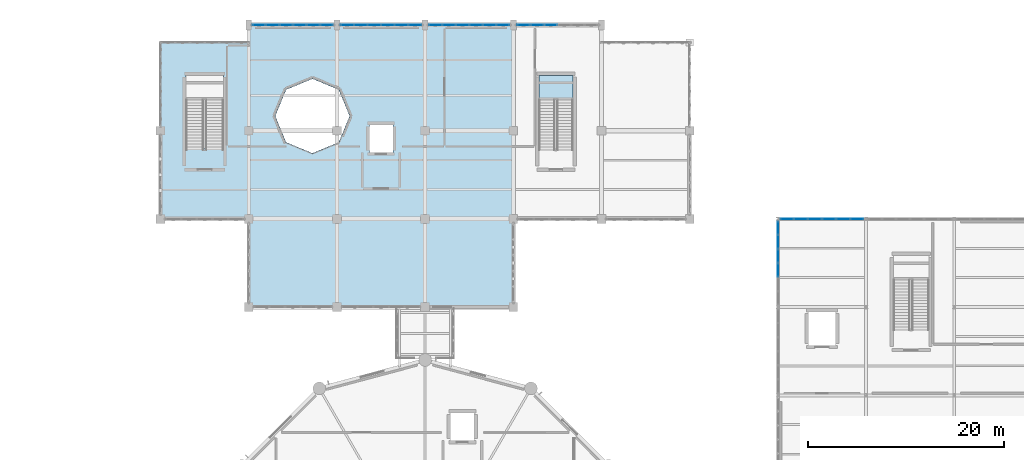
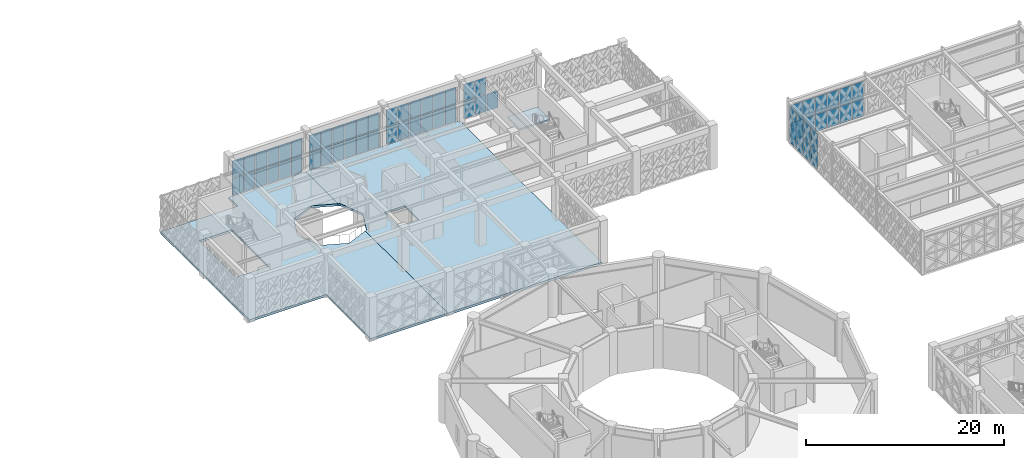
# One storey, part 126 of 155: 61 plates, 3 slabs, 7 elements without a shape of their own.
"""IFC4 building model written with IfcOpenShell, lengths in metres."""

from ifc_helpers import new_model, si_unit, direction, frame, origin, origin_2d, place, context, subcontext, project, spatial, polyline, rectangle, outline, extrude, material, layer, layer_set, type_object, element, aggregate, save


model = new_model("IFC4")

# Units and contexts
model_context = context("Model", 3, precision=1e-05, world=origin(), true_north=direction((0.0, 1.0)))
body_context = subcontext(model_context, "Body", "Model", "MODEL_VIEW")
ifc_project = project(units=[si_unit("LENGTHUNIT", "METRE"), si_unit("AREAUNIT", "SQUARE_METRE"), si_unit("VOLUMEUNIT", "CUBIC_METRE"), si_unit("PLANEANGLEUNIT", "RADIAN"), si_unit("MASSUNIT", "GRAM", prefix="KILO")], contexts=[model_context])

# Site, building, storey
site_placement = place(None, origin())
site = spatial("IfcSite", under=ifc_project, at=site_placement, CompositionType="ELEMENT")
building_placement = place(site_placement, origin())
building = spatial("IfcBuilding", under=site, at=building_placement, Name="Haizhuo Lancet Aquarium", CompositionType="ELEMENT")
storey_placement = place(building_placement, frame((0.0, 0.0, 10.800048828125)))
storey = spatial("IfcBuildingStorey", under=building, at=storey_placement, Name="L02", CompositionType="ELEMENT", Elevation=10.800048828125)

# Curtain wall, plates
ifc_material_1 = material(Name="Aluminium 6063-T6", Category="aluminium")
curtain_wall_type_1 = type_object("IfcCurtainWallType", Name="CWD-8310x4410", PredefinedType="NOTDEFINED", material=ifc_material_1)
curtain_wall_1_placement = place(storey_placement, origin())
curtain_wall_1 = element("IfcCurtainWall", 1, at=curtain_wall_1_placement, inside=storey, type_object=curtain_wall_type_1, Name="L02 curtain wall CW-V5-L02-149", PredefinedType="NOTDEFINED")
ifc_material_2 = material(Name="Laminated Low-E Glass", Category="glass")
ifc_layer_1 = layer(ifc_material_2, 0.028076171875)
ifc_layer_set_1 = layer_set([ifc_layer_1], Name="Laminated Low-E Glass")
plate_type_1 = type_object("IfcPlateType", Name="CW-PNL-1", PredefinedType="CURTAIN_PANEL", material=ifc_layer_set_1)
plate_1_placement = place(storey_placement, frame((1.055908203125, 55.800048828125, 0.07421875), z_axis=(0.0, 0.0, 1.0), x_axis=(1.0, 0.0, 0.0)))
plate_1 = element("IfcPlate", 2, at=plate_1_placement, type_object=plate_type_1, Name="CWD-83x44 panel 1.1", PredefinedType="CURTAIN_PANEL", context=body_context, shape_type="SweptSolid", body=[
    extrude(rectangle(XDim=1.27197265625, YDim=0.028076171875, at=origin_2d()), origin(), (0.0, 0.0, 1.0), 2.093017578125),
])
plate_2_placement = place(storey_placement, frame((1.055908203125, 55.800048828125, 2.24267578125), z_axis=(0.0, 0.0, 1.0), x_axis=(1.0, 0.0, 0.0)))
plate_2 = element("IfcPlate", 3, at=plate_2_placement, type_object=plate_type_1, Name="CWD-83x44 panel 1.2", PredefinedType="CURTAIN_PANEL", context=body_context, shape_type="SweptSolid", body=[
    extrude(rectangle(XDim=1.27197265625, YDim=0.028076171875, at=origin_2d()), origin(), (0.0, 0.0, 1.0), 2.093017578125),
])
plate_3_placement = place(storey_placement, frame((2.422119140625, 55.800048828125, 0.07421875), z_axis=(0.0, 0.0, 1.0), x_axis=(1.0, 0.0, 0.0)))
plate_3 = element("IfcPlate", 4, at=plate_3_placement, type_object=plate_type_1, Name="CWD-83x44 panel 2.1", PredefinedType="CURTAIN_PANEL", context=body_context, shape_type="SweptSolid", body=[
    extrude(rectangle(XDim=1.31005859375, YDim=0.028076171875, at=origin_2d()), origin(), (0.0, 0.0, 1.0), 2.093017578125),
])
plate_4_placement = place(storey_placement, frame((2.422119140625, 55.800048828125, 2.24267578125), z_axis=(0.0, 0.0, 1.0), x_axis=(1.0, 0.0, 0.0)))
plate_4 = element("IfcPlate", 5, at=plate_4_placement, type_object=plate_type_1, Name="CWD-83x44 panel 2.2", PredefinedType="CURTAIN_PANEL", context=body_context, shape_type="SweptSolid", body=[
    extrude(rectangle(XDim=1.31005859375, YDim=0.028076171875, at=origin_2d()), origin(), (0.0, 0.0, 1.0), 2.093017578125),
])
plate_5_placement = place(storey_placement, frame((3.806884765625, 55.800048828125, 0.07421875), z_axis=(0.0, 0.0, 1.0), x_axis=(1.0, 0.0, 0.0)))
plate_5 = element("IfcPlate", 6, at=plate_5_placement, type_object=plate_type_1, Name="CWD-83x44 panel 3.1", PredefinedType="CURTAIN_PANEL", context=body_context, shape_type="SweptSolid", body=[
    extrude(rectangle(XDim=1.31005859375, YDim=0.028076171875, at=origin_2d()), origin(), (0.0, 0.0, 1.0), 2.093017578125),
])
plate_6_placement = place(storey_placement, frame((3.806884765625, 55.800048828125, 2.24267578125), z_axis=(0.0, 0.0, 1.0), x_axis=(1.0, 0.0, 0.0)))
plate_6 = element("IfcPlate", 7, at=plate_6_placement, type_object=plate_type_1, Name="CWD-83x44 panel 3.2", PredefinedType="CURTAIN_PANEL", context=body_context, shape_type="SweptSolid", body=[
    extrude(rectangle(XDim=1.31005859375, YDim=0.028076171875, at=origin_2d()), origin(), (0.0, 0.0, 1.0), 2.093017578125),
])
plate_7_placement = place(storey_placement, frame((5.19189453125, 55.800048828125, 0.07421875), z_axis=(0.0, 0.0, 1.0), x_axis=(1.0, 0.0, 0.0)))
plate_7 = element("IfcPlate", 8, at=plate_7_placement, type_object=plate_type_1, Name="CWD-83x44 panel 4.1", PredefinedType="CURTAIN_PANEL", context=body_context, shape_type="SweptSolid", body=[
    extrude(rectangle(XDim=1.31005859375, YDim=0.028076171875, at=origin_2d()), origin(), (0.0, 0.0, 1.0), 2.093017578125),
])
plate_8_placement = place(storey_placement, frame((5.19189453125, 55.800048828125, 2.24267578125), z_axis=(0.0, 0.0, 1.0), x_axis=(1.0, 0.0, 0.0)))
plate_8 = element("IfcPlate", 9, at=plate_8_placement, type_object=plate_type_1, Name="CWD-83x44 panel 4.2", PredefinedType="CURTAIN_PANEL", context=body_context, shape_type="SweptSolid", body=[
    extrude(rectangle(XDim=1.31005859375, YDim=0.028076171875, at=origin_2d()), origin(), (0.0, 0.0, 1.0), 2.093017578125),
])
plate_9_placement = place(storey_placement, frame((6.576904296875, 55.800048828125, 0.07421875), z_axis=(0.0, 0.0, 1.0), x_axis=(1.0, 0.0, 0.0)))
plate_9 = element("IfcPlate", 10, at=plate_9_placement, type_object=plate_type_1, Name="CWD-83x44 panel 5.1", PredefinedType="CURTAIN_PANEL", context=body_context, shape_type="SweptSolid", body=[
    extrude(rectangle(XDim=1.31005859375, YDim=0.028076171875, at=origin_2d()), origin(), (0.0, 0.0, 1.0), 2.093017578125),
])
plate_10_placement = place(storey_placement, frame((6.576904296875, 55.800048828125, 2.24267578125), z_axis=(0.0, 0.0, 1.0), x_axis=(1.0, 0.0, 0.0)))
plate_10 = element("IfcPlate", 11, at=plate_10_placement, type_object=plate_type_1, Name="CWD-83x44 panel 5.2", PredefinedType="CURTAIN_PANEL", context=body_context, shape_type="SweptSolid", body=[
    extrude(rectangle(XDim=1.31005859375, YDim=0.028076171875, at=origin_2d()), origin(), (0.0, 0.0, 1.0), 2.093017578125),
])
plate_11_placement = place(storey_placement, frame((7.944091796875, 55.800048828125, 0.07421875), z_axis=(0.0, 0.0, 1.0), x_axis=(1.0, 0.0, 0.0)))
plate_11 = element("IfcPlate", 12, at=plate_11_placement, type_object=plate_type_1, Name="CWD-83x44 panel 6.1", PredefinedType="CURTAIN_PANEL", context=body_context, shape_type="SweptSolid", body=[
    extrude(rectangle(XDim=1.27294921875, YDim=0.028076171875, at=origin_2d()), origin(), (0.0, 0.0, 1.0), 2.093017578125),
])
plate_12_placement = place(storey_placement, frame((7.944091796875, 55.800048828125, 2.24267578125), z_axis=(0.0, 0.0, 1.0), x_axis=(1.0, 0.0, 0.0)))
plate_12 = element("IfcPlate", 13, at=plate_12_placement, type_object=plate_type_1, Name="CWD-83x44 panel 6.2", PredefinedType="CURTAIN_PANEL", context=body_context, shape_type="SweptSolid", body=[
    extrude(rectangle(XDim=1.27294921875, YDim=0.028076171875, at=origin_2d()), origin(), (0.0, 0.0, 1.0), 2.093017578125),
])
aggregate(curtain_wall_1, [plate_1, plate_2, plate_3, plate_4, plate_5, plate_6, plate_7, plate_8, plate_9, plate_10, plate_11, plate_12])

curtain_wall_2_placement = place(storey_placement, origin())
curtain_wall_2 = element("IfcCurtainWall", 14, at=curtain_wall_2_placement, inside=storey, type_object=curtain_wall_type_1, Name="L02 curtain wall CW-V5-L02-150", PredefinedType="NOTDEFINED")
ifc_layer_2 = layer(ifc_material_2, 0.033935546875)
ifc_layer_set_2 = layer_set([ifc_layer_2], Name="Laminated Low-E Glass")
plate_type_2 = type_object("IfcPlateType", Name="CW-PNL-2", PredefinedType="CURTAIN_PANEL", material=ifc_layer_set_2)
plate_13_placement = place(storey_placement, frame((10.05810546875, 55.800048828125, 0.07958984375), z_axis=(0.0, 0.0, 1.0), x_axis=(1.0, 0.0, 0.0)))
plate_13 = element("IfcPlate", 15, at=plate_13_placement, type_object=plate_type_2, Name="CWD-83x44 panel 1.1", PredefinedType="CURTAIN_PANEL", context=body_context, shape_type="SweptSolid", body=[
    extrude(rectangle(XDim=1.264892578125, YDim=0.033935546875, at=origin_2d()), origin(), (0.0, 0.0, 1.0), 2.0849609375),
])
plate_14_placement = place(storey_placement, frame((10.05810546875, 55.800048828125, 2.245361328125), z_axis=(0.0, 0.0, 1.0), x_axis=(1.0, 0.0, 0.0)))
plate_14 = element("IfcPlate", 16, at=plate_14_placement, type_object=plate_type_2, Name="CWD-83x44 panel 1.2", PredefinedType="CURTAIN_PANEL", context=body_context, shape_type="SweptSolid", body=[
    extrude(rectangle(XDim=1.264892578125, YDim=0.033935546875, at=origin_2d()), origin(), (0.0, 0.0, 1.0), 2.0849609375),
])
plate_15_placement = place(storey_placement, frame((11.423095703125, 55.800048828125, 0.07958984375), z_axis=(0.0, 0.0, 1.0), x_axis=(1.0, 0.0, 0.0)))
plate_15 = element("IfcPlate", 17, at=plate_15_placement, type_object=plate_type_2, Name="CWD-83x44 panel 2.1", PredefinedType="CURTAIN_PANEL", context=body_context, shape_type="SweptSolid", body=[
    extrude(rectangle(XDim=1.304931640625, YDim=0.033935546875, at=origin_2d()), origin(), (0.0, 0.0, 1.0), 2.0849609375),
])
plate_16_placement = place(storey_placement, frame((11.423095703125, 55.800048828125, 2.245361328125), z_axis=(0.0, 0.0, 1.0), x_axis=(1.0, 0.0, 0.0)))
plate_16 = element("IfcPlate", 18, at=plate_16_placement, type_object=plate_type_2, Name="CWD-83x44 panel 2.2", PredefinedType="CURTAIN_PANEL", context=body_context, shape_type="SweptSolid", body=[
    extrude(rectangle(XDim=1.304931640625, YDim=0.033935546875, at=origin_2d()), origin(), (0.0, 0.0, 1.0), 2.0849609375),
])
plate_17_placement = place(storey_placement, frame((12.80810546875, 55.800048828125, 0.07958984375), z_axis=(0.0, 0.0, 1.0), x_axis=(1.0, 0.0, 0.0)))
plate_17 = element("IfcPlate", 19, at=plate_17_placement, type_object=plate_type_2, Name="CWD-83x44 panel 3.1", PredefinedType="CURTAIN_PANEL", context=body_context, shape_type="SweptSolid", body=[
    extrude(rectangle(XDim=1.304931640625, YDim=0.033935546875, at=origin_2d()), origin(), (0.0, 0.0, 1.0), 2.0849609375),
])
aggregate(curtain_wall_2, [plate_13, plate_14, plate_15, plate_16, plate_17])

curtain_wall_3_placement = place(storey_placement, origin())
curtain_wall_3 = element("IfcCurtainWall", 20, at=curtain_wall_3_placement, inside=storey, type_object=curtain_wall_type_1, Name="L02 curtain wall CW-V5-L02-147", PredefinedType="NOTDEFINED")
ifc_layer_3 = layer(ifc_material_2, 0.0419921875)
ifc_layer_set_3 = layer_set([ifc_layer_3], Name="Laminated Low-E Glass")
plate_type_3 = type_object("IfcPlateType", Name="CW-PNL-3", PredefinedType="CURTAIN_PANEL", material=ifc_layer_set_3)
plate_18_placement = place(storey_placement, frame((-16.943115234375, 55.800048828125, 0.07958984375), z_axis=(0.0, 0.0, 1.0), x_axis=(1.0, 0.0, 0.0)))
plate_18 = element("IfcPlate", 21, at=plate_18_placement, type_object=plate_type_3, Name="CWD-83x44 panel 1.1", PredefinedType="CURTAIN_PANEL", context=body_context, shape_type="SweptSolid", body=[
    extrude(rectangle(XDim=1.264892578125, YDim=0.0419921875, at=origin_2d()), origin(), (0.0, 0.0, 1.0), 2.0849609375),
])
plate_19_placement = place(storey_placement, frame((-16.943115234375, 55.800048828125, 2.245361328125), z_axis=(0.0, 0.0, 1.0), x_axis=(1.0, 0.0, 0.0)))
plate_19 = element("IfcPlate", 22, at=plate_19_placement, type_object=plate_type_3, Name="CWD-83x44 panel 1.2", PredefinedType="CURTAIN_PANEL", context=body_context, shape_type="SweptSolid", body=[
    extrude(rectangle(XDim=1.264892578125, YDim=0.0419921875, at=origin_2d()), origin(), (0.0, 0.0, 1.0), 2.0849609375),
])
plate_20_placement = place(storey_placement, frame((-15.577880859375, 55.800048828125, 0.07958984375), z_axis=(0.0, 0.0, 1.0), x_axis=(1.0, 0.0, 0.0)))
plate_20 = element("IfcPlate", 23, at=plate_20_placement, type_object=plate_type_3, Name="CWD-83x44 panel 2.1", PredefinedType="CURTAIN_PANEL", context=body_context, shape_type="SweptSolid", body=[
    extrude(rectangle(XDim=1.304931640625, YDim=0.0419921875, at=origin_2d()), origin(), (0.0, 0.0, 1.0), 2.0849609375),
])
plate_21_placement = place(storey_placement, frame((-15.577880859375, 55.800048828125, 2.245361328125), z_axis=(0.0, 0.0, 1.0), x_axis=(1.0, 0.0, 0.0)))
plate_21 = element("IfcPlate", 24, at=plate_21_placement, type_object=plate_type_3, Name="CWD-83x44 panel 2.2", PredefinedType="CURTAIN_PANEL", context=body_context, shape_type="SweptSolid", body=[
    extrude(rectangle(XDim=1.304931640625, YDim=0.0419921875, at=origin_2d()), origin(), (0.0, 0.0, 1.0), 2.0849609375),
])
plate_22_placement = place(storey_placement, frame((-14.193115234375, 55.800048828125, 0.07958984375), z_axis=(0.0, 0.0, 1.0), x_axis=(1.0, 0.0, 0.0)))
plate_22 = element("IfcPlate", 25, at=plate_22_placement, type_object=plate_type_3, Name="CWD-83x44 panel 3.1", PredefinedType="CURTAIN_PANEL", context=body_context, shape_type="SweptSolid", body=[
    extrude(rectangle(XDim=1.304931640625, YDim=0.0419921875, at=origin_2d()), origin(), (0.0, 0.0, 1.0), 2.0849609375),
])
plate_23_placement = place(storey_placement, frame((-14.193115234375, 55.800048828125, 2.245361328125), z_axis=(0.0, 0.0, 1.0), x_axis=(1.0, 0.0, 0.0)))
plate_23 = element("IfcPlate", 26, at=plate_23_placement, type_object=plate_type_3, Name="CWD-83x44 panel 3.2", PredefinedType="CURTAIN_PANEL", context=body_context, shape_type="SweptSolid", body=[
    extrude(rectangle(XDim=1.304931640625, YDim=0.0419921875, at=origin_2d()), origin(), (0.0, 0.0, 1.0), 2.0849609375),
])
plate_24_placement = place(storey_placement, frame((-12.80810546875, 55.800048828125, 0.07958984375), z_axis=(0.0, 0.0, 1.0), x_axis=(1.0, 0.0, 0.0)))
plate_24 = element("IfcPlate", 27, at=plate_24_placement, type_object=plate_type_3, Name="CWD-83x44 panel 4.1", PredefinedType="CURTAIN_PANEL", context=body_context, shape_type="SweptSolid", body=[
    extrude(rectangle(XDim=1.304931640625, YDim=0.0419921875, at=origin_2d()), origin(), (0.0, 0.0, 1.0), 2.0849609375),
])
plate_25_placement = place(storey_placement, frame((-12.80810546875, 55.800048828125, 2.245361328125), z_axis=(0.0, 0.0, 1.0), x_axis=(1.0, 0.0, 0.0)))
plate_25 = element("IfcPlate", 28, at=plate_25_placement, type_object=plate_type_3, Name="CWD-83x44 panel 4.2", PredefinedType="CURTAIN_PANEL", context=body_context, shape_type="SweptSolid", body=[
    extrude(rectangle(XDim=1.304931640625, YDim=0.0419921875, at=origin_2d()), origin(), (0.0, 0.0, 1.0), 2.0849609375),
])
plate_26_placement = place(storey_placement, frame((-11.423095703125, 55.800048828125, 0.07958984375), z_axis=(0.0, 0.0, 1.0), x_axis=(1.0, 0.0, 0.0)))
plate_26 = element("IfcPlate", 29, at=plate_26_placement, type_object=plate_type_3, Name="CWD-83x44 panel 5.1", PredefinedType="CURTAIN_PANEL", context=body_context, shape_type="SweptSolid", body=[
    extrude(rectangle(XDim=1.304931640625, YDim=0.0419921875, at=origin_2d()), origin(), (0.0, 0.0, 1.0), 2.0849609375),
])
plate_27_placement = place(storey_placement, frame((-11.423095703125, 55.800048828125, 2.245361328125), z_axis=(0.0, 0.0, 1.0), x_axis=(1.0, 0.0, 0.0)))
plate_27 = element("IfcPlate", 30, at=plate_27_placement, type_object=plate_type_3, Name="CWD-83x44 panel 5.2", PredefinedType="CURTAIN_PANEL", context=body_context, shape_type="SweptSolid", body=[
    extrude(rectangle(XDim=1.304931640625, YDim=0.0419921875, at=origin_2d()), origin(), (0.0, 0.0, 1.0), 2.0849609375),
])
plate_28_placement = place(storey_placement, frame((-10.05810546875, 55.800048828125, 0.07958984375), z_axis=(0.0, 0.0, 1.0), x_axis=(1.0, 0.0, 0.0)))
plate_28 = element("IfcPlate", 31, at=plate_28_placement, type_object=plate_type_3, Name="CWD-83x44 panel 6.1", PredefinedType="CURTAIN_PANEL", context=body_context, shape_type="SweptSolid", body=[
    extrude(rectangle(XDim=1.264892578125, YDim=0.0419921875, at=origin_2d()), origin(), (0.0, 0.0, 1.0), 2.0849609375),
])
plate_29_placement = place(storey_placement, frame((-10.05810546875, 55.800048828125, 2.245361328125), z_axis=(0.0, 0.0, 1.0), x_axis=(1.0, 0.0, 0.0)))
plate_29 = element("IfcPlate", 32, at=plate_29_placement, type_object=plate_type_3, Name="CWD-83x44 panel 6.2", PredefinedType="CURTAIN_PANEL", context=body_context, shape_type="SweptSolid", body=[
    extrude(rectangle(XDim=1.264892578125, YDim=0.0419921875, at=origin_2d()), origin(), (0.0, 0.0, 1.0), 2.0849609375),
])
aggregate(curtain_wall_3, [plate_18, plate_19, plate_20, plate_21, plate_22, plate_23, plate_24, plate_25, plate_26, plate_27, plate_28, plate_29])

curtain_wall_type_2 = type_object("IfcCurtainWallType", Name="CWD-8610x4560", PredefinedType="NOTDEFINED", material=ifc_material_1)
curtain_wall_4_placement = place(storey_placement, origin())
curtain_wall_4 = element("IfcCurtainWall", 33, at=curtain_wall_4_placement, inside=storey, type_object=curtain_wall_type_2, Name="L02 curtain wall CW-V7-L02-311", PredefinedType="NOTDEFINED")
plate_30_placement = place(storey_placement, frame((36.0, 30.781982421875, 0.074951171875), z_axis=(0.0, 0.0, 1.0), x_axis=(0.0, 1.0, 0.0)))
plate_30 = element("IfcPlate", 34, at=plate_30_placement, type_object=plate_type_3, Name="CWD-86x45 panel 3.1", PredefinedType="CURTAIN_PANEL", context=body_context, shape_type="SweptSolid", body=[
    extrude(rectangle(XDim=1.360107421875, YDim=0.0419921875, at=origin_2d()), origin(), (0.0, 0.0, 1.0), 2.16796875),
])
plate_31_placement = place(storey_placement, frame((36.0, 30.781982421875, 2.318359375), z_axis=(0.0, 0.0, 1.0), x_axis=(0.0, 1.0, 0.0)))
plate_31 = element("IfcPlate", 35, at=plate_31_placement, type_object=plate_type_3, Name="CWD-86x45 panel 3.2", PredefinedType="CURTAIN_PANEL", context=body_context, shape_type="SweptSolid", body=[
    extrude(rectangle(XDim=1.360107421875, YDim=0.0419921875, at=origin_2d()), origin(), (0.0, 0.0, 1.0), 2.1689453125),
])
plate_32_placement = place(storey_placement, frame((36.0, 32.218017578125, 0.074951171875), z_axis=(0.0, 0.0, 1.0), x_axis=(0.0, 1.0, 0.0)))
plate_32 = element("IfcPlate", 36, at=plate_32_placement, type_object=plate_type_3, Name="CWD-86x45 panel 4.1", PredefinedType="CURTAIN_PANEL", context=body_context, shape_type="SweptSolid", body=[
    extrude(rectangle(XDim=1.360107421875, YDim=0.0419921875, at=origin_2d()), origin(), (0.0, 0.0, 1.0), 2.16796875),
])
plate_33_placement = place(storey_placement, frame((36.0, 32.218017578125, 2.318359375), z_axis=(0.0, 0.0, 1.0), x_axis=(0.0, 1.0, 0.0)))
plate_33 = element("IfcPlate", 37, at=plate_33_placement, type_object=plate_type_3, Name="CWD-86x45 panel 4.2", PredefinedType="CURTAIN_PANEL", context=body_context, shape_type="SweptSolid", body=[
    extrude(rectangle(XDim=1.360107421875, YDim=0.0419921875, at=origin_2d()), origin(), (0.0, 0.0, 1.0), 2.1689453125),
])
plate_34_placement = place(storey_placement, frame((36.0, 33.653076171875, 0.074951171875), z_axis=(0.0, 0.0, 1.0), x_axis=(0.0, 1.0, 0.0)))
plate_34 = element("IfcPlate", 38, at=plate_34_placement, type_object=plate_type_3, Name="CWD-86x45 panel 5.1", PredefinedType="CURTAIN_PANEL", context=body_context, shape_type="SweptSolid", body=[
    extrude(rectangle(XDim=1.360107421875, YDim=0.0419921875, at=origin_2d()), origin(), (0.0, 0.0, 1.0), 2.16796875),
])
plate_35_placement = place(storey_placement, frame((36.0, 33.653076171875, 2.318359375), z_axis=(0.0, 0.0, 1.0), x_axis=(0.0, 1.0, 0.0)))
plate_35 = element("IfcPlate", 39, at=plate_35_placement, type_object=plate_type_3, Name="CWD-86x45 panel 5.2", PredefinedType="CURTAIN_PANEL", context=body_context, shape_type="SweptSolid", body=[
    extrude(rectangle(XDim=1.360107421875, YDim=0.0419921875, at=origin_2d()), origin(), (0.0, 0.0, 1.0), 2.1689453125),
])
plate_36_placement = place(storey_placement, frame((36.0, 35.069091796875, 0.074951171875), z_axis=(0.0, 0.0, 1.0), x_axis=(0.0, 1.0, 0.0)))
plate_36 = element("IfcPlate", 40, at=plate_36_placement, type_object=plate_type_3, Name="CWD-86x45 panel 6.1", PredefinedType="CURTAIN_PANEL", context=body_context, shape_type="SweptSolid", body=[
    extrude(rectangle(XDim=1.322998046875, YDim=0.0419921875, at=origin_2d()), origin(), (0.0, 0.0, 1.0), 2.16796875),
])
plate_37_placement = place(storey_placement, frame((36.0, 35.069091796875, 2.318359375), z_axis=(0.0, 0.0, 1.0), x_axis=(0.0, 1.0, 0.0)))
plate_37 = element("IfcPlate", 41, at=plate_37_placement, type_object=plate_type_3, Name="CWD-86x45 panel 6.2", PredefinedType="CURTAIN_PANEL", context=body_context, shape_type="SweptSolid", body=[
    extrude(rectangle(XDim=1.322998046875, YDim=0.0419921875, at=origin_2d()), origin(), (0.0, 0.0, 1.0), 2.1689453125),
])
aggregate(curtain_wall_4, [plate_30, plate_31, plate_32, plate_33, plate_34, plate_35, plate_36, plate_37])

curtain_wall_5_placement = place(storey_placement, origin())
curtain_wall_5 = element("IfcCurtainWall", 42, at=curtain_wall_5_placement, inside=storey, type_object=curtain_wall_type_1, Name="L02 curtain wall CW-V5-L02-148", PredefinedType="NOTDEFINED")
ifc_layer_4 = layer(ifc_material_2, 0.052001953125)
ifc_layer_set_4 = layer_set([ifc_layer_4], Name="Laminated Low-E Glass")
plate_type_4 = type_object("IfcPlateType", Name="CW-PNL-4", PredefinedType="CURTAIN_PANEL", material=ifc_layer_set_4)
plate_38_placement = place(storey_placement, frame((-7.946044921875, 55.800048828125, 0.0654296875), z_axis=(0.0, 0.0, 1.0), x_axis=(1.0, 0.0, 0.0)))
plate_38 = element("IfcPlate", 43, at=plate_38_placement, type_object=plate_type_4, Name="CWD-83x44 panel 1.1", PredefinedType="CURTAIN_PANEL", context=body_context, shape_type="SweptSolid", body=[
    extrude(rectangle(XDim=1.287109375, YDim=0.052001953125, at=origin_2d()), origin(), (0.0, 0.0, 1.0), 2.10693359375),
])
plate_39_placement = place(storey_placement, frame((-7.946044921875, 55.800048828125, 2.237548828125), z_axis=(0.0, 0.0, 1.0), x_axis=(1.0, 0.0, 0.0)))
plate_39 = element("IfcPlate", 44, at=plate_39_placement, type_object=plate_type_4, Name="CWD-83x44 panel 1.2", PredefinedType="CURTAIN_PANEL", context=body_context, shape_type="SweptSolid", body=[
    extrude(rectangle(XDim=1.287109375, YDim=0.052001953125, at=origin_2d()), origin(), (0.0, 0.0, 1.0), 2.10693359375),
])
plate_40_placement = place(storey_placement, frame((-6.576904296875, 55.800048828125, 0.0654296875), z_axis=(0.0, 0.0, 1.0), x_axis=(1.0, 0.0, 0.0)))
plate_40 = element("IfcPlate", 45, at=plate_40_placement, type_object=plate_type_4, Name="CWD-83x44 panel 2.1", PredefinedType="CURTAIN_PANEL", context=body_context, shape_type="SweptSolid", body=[
    extrude(rectangle(XDim=1.320068359375, YDim=0.052001953125, at=origin_2d()), origin(), (0.0, 0.0, 1.0), 2.10693359375),
])
plate_41_placement = place(storey_placement, frame((-6.576904296875, 55.800048828125, 2.237548828125), z_axis=(0.0, 0.0, 1.0), x_axis=(1.0, 0.0, 0.0)))
plate_41 = element("IfcPlate", 46, at=plate_41_placement, type_object=plate_type_4, Name="CWD-83x44 panel 2.2", PredefinedType="CURTAIN_PANEL", context=body_context, shape_type="SweptSolid", body=[
    extrude(rectangle(XDim=1.320068359375, YDim=0.052001953125, at=origin_2d()), origin(), (0.0, 0.0, 1.0), 2.10693359375),
])
plate_42_placement = place(storey_placement, frame((-5.19189453125, 55.800048828125, 0.0654296875), z_axis=(0.0, 0.0, 1.0), x_axis=(1.0, 0.0, 0.0)))
plate_42 = element("IfcPlate", 47, at=plate_42_placement, type_object=plate_type_4, Name="CWD-83x44 panel 3.1", PredefinedType="CURTAIN_PANEL", context=body_context, shape_type="SweptSolid", body=[
    extrude(rectangle(XDim=1.320068359375, YDim=0.052001953125, at=origin_2d()), origin(), (0.0, 0.0, 1.0), 2.10693359375),
])
plate_43_placement = place(storey_placement, frame((-5.19189453125, 55.800048828125, 2.237548828125), z_axis=(0.0, 0.0, 1.0), x_axis=(1.0, 0.0, 0.0)))
plate_43 = element("IfcPlate", 48, at=plate_43_placement, type_object=plate_type_4, Name="CWD-83x44 panel 3.2", PredefinedType="CURTAIN_PANEL", context=body_context, shape_type="SweptSolid", body=[
    extrude(rectangle(XDim=1.320068359375, YDim=0.052001953125, at=origin_2d()), origin(), (0.0, 0.0, 1.0), 2.10693359375),
])
plate_44_placement = place(storey_placement, frame((-3.80810546875, 55.800048828125, 0.0654296875), z_axis=(0.0, 0.0, 1.0), x_axis=(1.0, 0.0, 0.0)))
plate_44 = element("IfcPlate", 49, at=plate_44_placement, type_object=plate_type_4, Name="CWD-83x44 panel 4.1", PredefinedType="CURTAIN_PANEL", context=body_context, shape_type="SweptSolid", body=[
    extrude(rectangle(XDim=1.320068359375, YDim=0.052001953125, at=origin_2d()), origin(), (0.0, 0.0, 1.0), 2.10693359375),
])
plate_45_placement = place(storey_placement, frame((-3.80810546875, 55.800048828125, 2.237548828125), z_axis=(0.0, 0.0, 1.0), x_axis=(1.0, 0.0, 0.0)))
plate_45 = element("IfcPlate", 50, at=plate_45_placement, type_object=plate_type_4, Name="CWD-83x44 panel 4.2", PredefinedType="CURTAIN_PANEL", context=body_context, shape_type="SweptSolid", body=[
    extrude(rectangle(XDim=1.320068359375, YDim=0.052001953125, at=origin_2d()), origin(), (0.0, 0.0, 1.0), 2.10693359375),
])
plate_46_placement = place(storey_placement, frame((-2.423095703125, 55.800048828125, 0.0654296875), z_axis=(0.0, 0.0, 1.0), x_axis=(1.0, 0.0, 0.0)))
plate_46 = element("IfcPlate", 51, at=plate_46_placement, type_object=plate_type_4, Name="CWD-83x44 panel 5.1", PredefinedType="CURTAIN_PANEL", context=body_context, shape_type="SweptSolid", body=[
    extrude(rectangle(XDim=1.320068359375, YDim=0.052001953125, at=origin_2d()), origin(), (0.0, 0.0, 1.0), 2.10693359375),
])
plate_47_placement = place(storey_placement, frame((-2.423095703125, 55.800048828125, 2.237548828125), z_axis=(0.0, 0.0, 1.0), x_axis=(1.0, 0.0, 0.0)))
plate_47 = element("IfcPlate", 52, at=plate_47_placement, type_object=plate_type_4, Name="CWD-83x44 panel 5.2", PredefinedType="CURTAIN_PANEL", context=body_context, shape_type="SweptSolid", body=[
    extrude(rectangle(XDim=1.320068359375, YDim=0.052001953125, at=origin_2d()), origin(), (0.0, 0.0, 1.0), 2.10693359375),
])
plate_48_placement = place(storey_placement, frame((-1.053955078125, 55.800048828125, 0.0654296875), z_axis=(0.0, 0.0, 1.0), x_axis=(1.0, 0.0, 0.0)))
plate_48 = element("IfcPlate", 53, at=plate_48_placement, type_object=plate_type_4, Name="CWD-83x44 panel 6.1", PredefinedType="CURTAIN_PANEL", context=body_context, shape_type="SweptSolid", body=[
    extrude(rectangle(XDim=1.287109375, YDim=0.052001953125, at=origin_2d()), origin(), (0.0, 0.0, 1.0), 2.10693359375),
])
plate_49_placement = place(storey_placement, frame((-1.053955078125, 55.800048828125, 2.237548828125), z_axis=(0.0, 0.0, 1.0), x_axis=(1.0, 0.0, 0.0)))
plate_49 = element("IfcPlate", 54, at=plate_49_placement, type_object=plate_type_4, Name="CWD-83x44 panel 6.2", PredefinedType="CURTAIN_PANEL", context=body_context, shape_type="SweptSolid", body=[
    extrude(rectangle(XDim=1.287109375, YDim=0.052001953125, at=origin_2d()), origin(), (0.0, 0.0, 1.0), 2.10693359375),
])
aggregate(curtain_wall_5, [plate_38, plate_39, plate_40, plate_41, plate_42, plate_43, plate_44, plate_45, plate_46, plate_47, plate_48, plate_49])

curtain_wall_type_3 = type_object("IfcCurtainWallType", Name="CWD-8610x4460", PredefinedType="NOTDEFINED", material=ifc_material_1)
curtain_wall_6_placement = place(storey_placement, origin())
curtain_wall_6 = element("IfcCurtainWall", 55, at=curtain_wall_6_placement, inside=storey, type_object=curtain_wall_type_3, Name="L02 curtain wall CW-V7-L02-296", PredefinedType="NOTDEFINED")
plate_50_placement = place(storey_placement, frame((36.930908203125, 36.0, 0.07470703125), z_axis=(0.0, 0.0, 1.0), x_axis=(1.0, 0.0, 0.0)))
plate_50 = element("IfcPlate", 56, at=plate_50_placement, type_object=plate_type_4, Name="CWD-86x44 panel 1.1", PredefinedType="CURTAIN_PANEL", context=body_context, shape_type="SweptSolid", body=[
    extrude(rectangle(XDim=1.322021484375, YDim=0.052001953125, at=origin_2d()), origin(), (0.0, 0.0, 1.0), 2.118896484375),
])
plate_51_placement = place(storey_placement, frame((36.930908203125, 36.0, 2.2685546875), z_axis=(0.0, 0.0, 1.0), x_axis=(1.0, 0.0, 0.0)))
plate_51 = element("IfcPlate", 57, at=plate_51_placement, type_object=plate_type_4, Name="CWD-86x44 panel 1.2", PredefinedType="CURTAIN_PANEL", context=body_context, shape_type="SweptSolid", body=[
    extrude(rectangle(XDim=1.322021484375, YDim=0.052001953125, at=origin_2d()), origin(), (0.0, 0.0, 1.0), 2.118896484375),
])
plate_52_placement = place(storey_placement, frame((38.346923828125, 36.0, 0.07470703125), z_axis=(0.0, 0.0, 1.0), x_axis=(1.0, 0.0, 0.0)))
plate_52 = element("IfcPlate", 58, at=plate_52_placement, type_object=plate_type_4, Name="CWD-86x44 panel 2.1", PredefinedType="CURTAIN_PANEL", context=body_context, shape_type="SweptSolid", body=[
    extrude(rectangle(XDim=1.360107421875, YDim=0.052001953125, at=origin_2d()), origin(), (0.0, 0.0, 1.0), 2.118896484375),
])
plate_53_placement = place(storey_placement, frame((38.346923828125, 36.0, 2.2685546875), z_axis=(0.0, 0.0, 1.0), x_axis=(1.0, 0.0, 0.0)))
plate_53 = element("IfcPlate", 59, at=plate_53_placement, type_object=plate_type_4, Name="CWD-86x44 panel 2.2", PredefinedType="CURTAIN_PANEL", context=body_context, shape_type="SweptSolid", body=[
    extrude(rectangle(XDim=1.360107421875, YDim=0.052001953125, at=origin_2d()), origin(), (0.0, 0.0, 1.0), 2.118896484375),
])
plate_54_placement = place(storey_placement, frame((39.781982421875, 36.0, 0.07470703125), z_axis=(0.0, 0.0, 1.0), x_axis=(1.0, 0.0, 0.0)))
plate_54 = element("IfcPlate", 60, at=plate_54_placement, type_object=plate_type_4, Name="CWD-86x44 panel 3.1", PredefinedType="CURTAIN_PANEL", context=body_context, shape_type="SweptSolid", body=[
    extrude(rectangle(XDim=1.360107421875, YDim=0.052001953125, at=origin_2d()), origin(), (0.0, 0.0, 1.0), 2.118896484375),
])
plate_55_placement = place(storey_placement, frame((39.781982421875, 36.0, 2.2685546875), z_axis=(0.0, 0.0, 1.0), x_axis=(1.0, 0.0, 0.0)))
plate_55 = element("IfcPlate", 61, at=plate_55_placement, type_object=plate_type_4, Name="CWD-86x44 panel 3.2", PredefinedType="CURTAIN_PANEL", context=body_context, shape_type="SweptSolid", body=[
    extrude(rectangle(XDim=1.360107421875, YDim=0.052001953125, at=origin_2d()), origin(), (0.0, 0.0, 1.0), 2.118896484375),
])
plate_56_placement = place(storey_placement, frame((41.218017578125, 36.0, 0.07470703125), z_axis=(0.0, 0.0, 1.0), x_axis=(1.0, 0.0, 0.0)))
plate_56 = element("IfcPlate", 62, at=plate_56_placement, type_object=plate_type_4, Name="CWD-86x44 panel 4.1", PredefinedType="CURTAIN_PANEL", context=body_context, shape_type="SweptSolid", body=[
    extrude(rectangle(XDim=1.360107421875, YDim=0.052001953125, at=origin_2d()), origin(), (0.0, 0.0, 1.0), 2.118896484375),
])
plate_57_placement = place(storey_placement, frame((41.218017578125, 36.0, 2.2685546875), z_axis=(0.0, 0.0, 1.0), x_axis=(1.0, 0.0, 0.0)))
plate_57 = element("IfcPlate", 63, at=plate_57_placement, type_object=plate_type_4, Name="CWD-86x44 panel 4.2", PredefinedType="CURTAIN_PANEL", context=body_context, shape_type="SweptSolid", body=[
    extrude(rectangle(XDim=1.360107421875, YDim=0.052001953125, at=origin_2d()), origin(), (0.0, 0.0, 1.0), 2.118896484375),
])
plate_58_placement = place(storey_placement, frame((42.653076171875, 36.0, 0.07470703125), z_axis=(0.0, 0.0, 1.0), x_axis=(1.0, 0.0, 0.0)))
plate_58 = element("IfcPlate", 64, at=plate_58_placement, type_object=plate_type_4, Name="CWD-86x44 panel 5.1", PredefinedType="CURTAIN_PANEL", context=body_context, shape_type="SweptSolid", body=[
    extrude(rectangle(XDim=1.360107421875, YDim=0.052001953125, at=origin_2d()), origin(), (0.0, 0.0, 1.0), 2.118896484375),
])
plate_59_placement = place(storey_placement, frame((42.653076171875, 36.0, 2.2685546875), z_axis=(0.0, 0.0, 1.0), x_axis=(1.0, 0.0, 0.0)))
plate_59 = element("IfcPlate", 65, at=plate_59_placement, type_object=plate_type_4, Name="CWD-86x44 panel 5.2", PredefinedType="CURTAIN_PANEL", context=body_context, shape_type="SweptSolid", body=[
    extrude(rectangle(XDim=1.360107421875, YDim=0.052001953125, at=origin_2d()), origin(), (0.0, 0.0, 1.0), 2.118896484375),
])
plate_60_placement = place(storey_placement, frame((44.069091796875, 36.0, 0.07470703125), z_axis=(0.0, 0.0, 1.0), x_axis=(1.0, 0.0, 0.0)))
plate_60 = element("IfcPlate", 66, at=plate_60_placement, type_object=plate_type_4, Name="CWD-86x44 panel 6.1", PredefinedType="CURTAIN_PANEL", context=body_context, shape_type="SweptSolid", body=[
    extrude(rectangle(XDim=1.322998046875, YDim=0.052001953125, at=origin_2d()), origin(), (0.0, 0.0, 1.0), 2.118896484375),
])
plate_61_placement = place(storey_placement, frame((44.069091796875, 36.0, 2.2685546875), z_axis=(0.0, 0.0, 1.0), x_axis=(1.0, 0.0, 0.0)))
plate_61 = element("IfcPlate", 67, at=plate_61_placement, type_object=plate_type_4, Name="CWD-86x44 panel 6.2", PredefinedType="CURTAIN_PANEL", context=body_context, shape_type="SweptSolid", body=[
    extrude(rectangle(XDim=1.322998046875, YDim=0.052001953125, at=origin_2d()), origin(), (0.0, 0.0, 1.0), 2.118896484375),
])
aggregate(curtain_wall_6, [plate_50, plate_51, plate_52, plate_53, plate_54, plate_55, plate_56, plate_57, plate_58, plate_59, plate_60, plate_61])

# Stair, slab
ifc_material_3 = material(Name="Concrete C40/50", Category="concrete")
stair_type = type_object("IfcStairType", Name="STR-HT-1650-54", PredefinedType="HALF_TURN_STAIR", material=ifc_material_3)
stair_placement = place(storey_placement, origin())
stair = element("IfcStair", 68, at=stair_placement, inside=storey, type_object=stair_type, Name="L02 enclosed exit stair ST-08", PredefinedType="HALF_TURN_STAIR")
ifc_layer_5 = layer(ifc_material_3, 0.199951171875)
ifc_layer_set_5 = layer_set([ifc_layer_5], Name="Concrete C40/50")
slab_type_1 = type_object("IfcSlabType", Name="SLB-LND-1650", PredefinedType="LANDING", material=ifc_layer_set_5)
slab_1_placement = place(storey_placement, frame((0.0, 0.0, 2.5)))
slab_1 = element("IfcSlab", 69, at=slab_1_placement, type_object=slab_type_1, Name="ST-25 landing 1", PredefinedType="LANDING", context=body_context, shape_type="SweptSolid", body=[
    extrude(outline(polyline([(15.10009765625, 48.14990234375), (15.10009765625, 50.64990234375), (11.60009765625, 50.64990234375), (11.60009765625, 48.14990234375), (15.10009765625, 48.14990234375)])), origin(), (0.0, 0.0, 1.0), 0.199951171875),
])
aggregate(stair, [slab_1])

# Slabs
ifc_layer_6 = layer(ifc_material_3, 0.260009765625)
ifc_layer_set_6 = layer_set([ifc_layer_6], Name="Concrete C40/50")
slab_type_2 = type_object("IfcSlabType", Name="SLB-UPPER-260", PredefinedType="FLOOR", material=ifc_layer_set_6)
slab_2_placement = place(storey_placement, frame((0.0, 0.0, -0.260009765625)))
element("IfcSlab", 70, at=slab_2_placement, inside=storey, type_object=slab_type_2, Name="L02 structural slab SL-L02-V5-01", PredefinedType="FLOOR", context=body_context, shape_type="SweptSolid", body=[
    extrude(outline(polyline([(-18.0, 55.800048828125), (-18.0, 54.0), (-27.0, 54.0), (-27.0, 36.0), (-18.0, 36.0), (-18.0, 27.0), (-9.0, 27.0), (-9.0, 43.736083984375), (-11.5, 42.699951171875), (-14.18701171875, 43.81298828125), (-15.300048828125, 46.5), (-14.18701171875, 49.18701171875), (-11.5, 50.300048828125), (-9.0, 49.263916015625), (-9.0, 55.800048828125), (-18.0, 55.800048828125)]), holes=[polyline([(-20.60009765625, 43.22998046875), (-20.60009765625, 50.64990234375), (-24.39990234375, 50.64990234375), (-24.39990234375, 43.22998046875), (-20.60009765625, 43.22998046875)])]), origin(), (0.0, 0.0, 1.0), 0.260009765625),
])
slab_3_placement = place(storey_placement, frame((0.0, 0.0, -0.260009765625)))
element("IfcSlab", 71, at=slab_3_placement, inside=storey, type_object=slab_type_2, Name="L02 structural slab SL-L02-V5-02", PredefinedType="FLOOR", context=body_context, shape_type="SweptSolid", body=[
    extrude(outline(polyline([(-9.0, 55.800048828125), (-9.0, 49.263916015625), (-8.81298828125, 49.18701171875), (-7.699951171875, 46.5), (-8.81298828125, 43.81298828125), (-9.0, 43.736083984375), (-9.0, 27.0), (9.0, 27.0), (9.0, 55.800048828125), (-9.0, 55.800048828125)]), holes=[polyline([(-5.699951171875, 42.800048828125), (-3.300048828125, 42.800048828125), (-3.300048828125, 45.60009765625), (-5.699951171875, 45.60009765625), (-5.699951171875, 42.800048828125)])]), origin(), (0.0, 0.0, 1.0), 0.260009765625),
])

save(model, "model.ifc")
